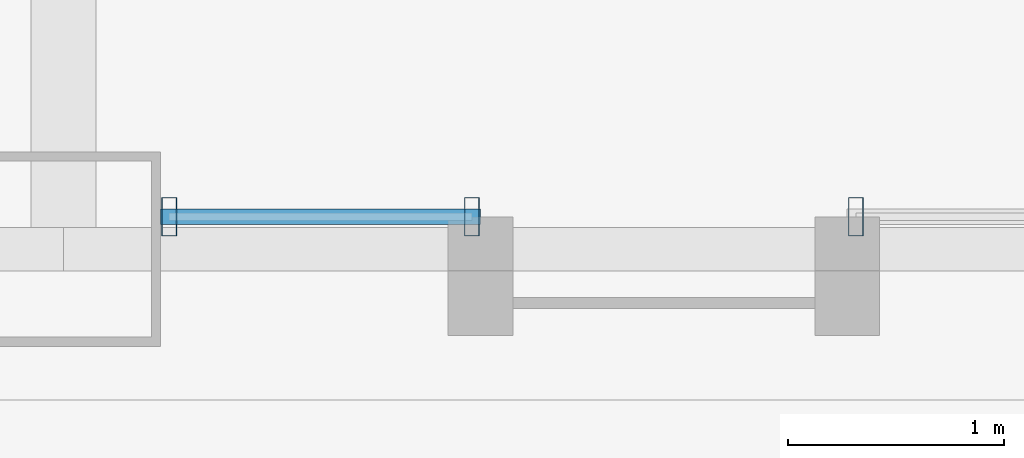
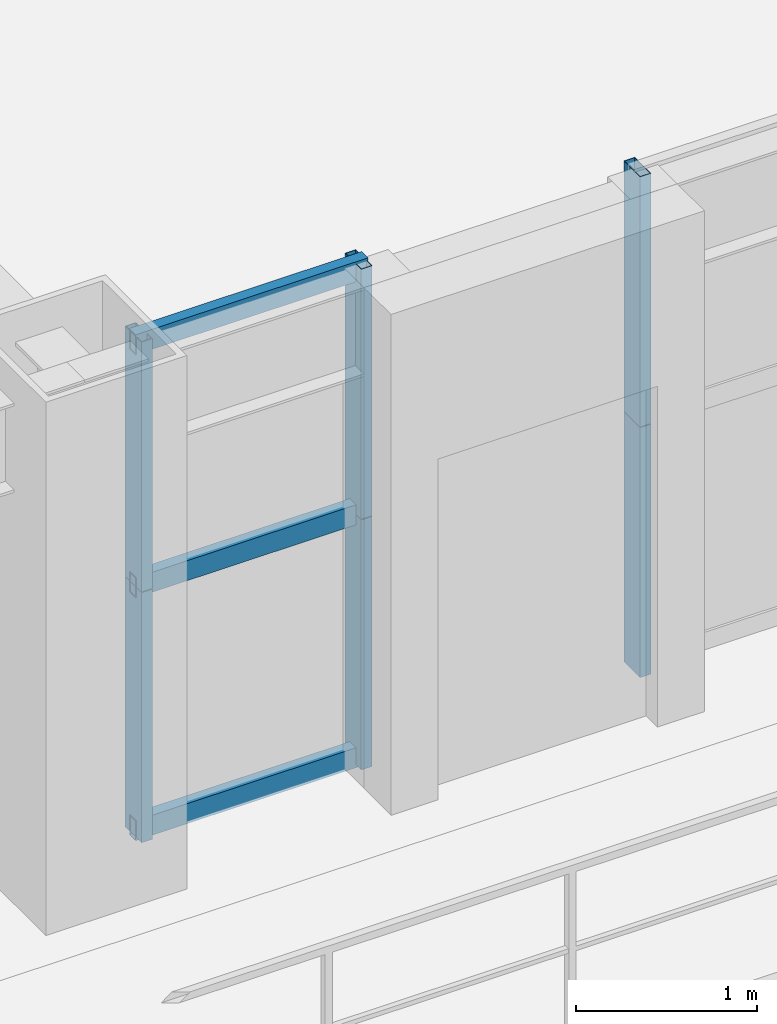
# One storey, part 11 of 42: 9 members, 2 elements without a shape of their own.
"""IFC4 building model written with IfcOpenShell, lengths in metres."""

from ifc_helpers import new_model, si_unit, direction, frame, origin, origin_2d, place, context, subcontext, project, spatial, hollow_rectangle, extrude, source, transform, mapped, material, layer, layer_set, material_profile, profile_set, type_object, element, aggregate, save


model = new_model("IFC4")

# Units and contexts
model_context = context("Model", 3, precision=1e-05, world=origin(), true_north=direction((0.0, 1.0)))
body_context = subcontext(model_context, "Body", "Model", "MODEL_VIEW")
ifc_project = project(units=[si_unit("LENGTHUNIT", "METRE"), si_unit("AREAUNIT", "SQUARE_METRE"), si_unit("VOLUMEUNIT", "CUBIC_METRE"), si_unit("PLANEANGLEUNIT", "RADIAN"), si_unit("MASSUNIT", "GRAM", prefix="KILO"), si_unit("THERMODYNAMICTEMPERATUREUNIT", "KELVIN"), si_unit("POWERUNIT", "WATT")], contexts=[model_context])

# Site, building, storey
site_placement = place(None, origin())
site = spatial("IfcSite", under=ifc_project, at=site_placement, CompositionType="ELEMENT")
building_placement = place(site_placement, origin())
building = spatial("IfcBuilding", under=site, at=building_placement, Name="Yuzanri Waterfront Tower", CompositionType="ELEMENT")
storey_placement = place(building_placement, frame((0.0, 0.0, 145.199951171875)))
storey = spatial("IfcBuildingStorey", under=building, at=storey_placement, Name="L38", CompositionType="ELEMENT", Elevation=145.199951171875)

# Curtain wall, members
ifc_material_1 = material(Name="Anodized Architectural Bronze", Category="metal")
ifc_layer = layer(ifc_material_1, 0.159912109375)
ifc_layer_set = layer_set([ifc_layer], Name="Anodized Architectural Bronze")
curtain_wall_type = type_object("IfcCurtainWallType", Name="Anodized Bronze Hotel Upper-Tier Solar-Control Unitized Curtain Wall 7800", PredefinedType="NOTDEFINED", material=ifc_layer_set)
curtain_wall_1_placement = place(storey_placement, origin())
curtain_wall_1 = element("IfcCurtainWall", 1, at=curtain_wall_1_placement, inside=storey, type_object=curtain_wall_type, Name="L38 Curtain Wall CW-L38-SR1", PredefinedType="NOTDEFINED")
ifc_material_2 = material(Name="Anodized Architectural Bronze", Category="metal")
ifc_material_profile_1 = material_profile(ifc_material_2, hollow_rectangle(XDim=0.070068359375, YDim=0.179931640625, WallThickness=0.00390625, at=origin_2d()), Name="CWM 70x180")
ifc_profile_set_1 = profile_set([ifc_material_profile_1], Name="Anodized Architectural Bronze")
member_type_1 = type_object("IfcMemberType", Name="Anodized Bronze Standard Curtain-Wall Mullion 70x180", PredefinedType="MULLION", material=ifc_profile_set_1)
shared_shape_1 = source(origin(), body_context, "Body", "SweptSolid", [
    extrude(hollow_rectangle(XDim=0.070068359375, YDim=0.179931640625, WallThickness=0.00390625, at=origin_2d()), origin(), (0.0, 0.0, 1.0), 1.68798828125),
])
member_1_placement = place(storey_placement, frame((37.489990234375, 2.35009765625, 0.0), z_axis=(0.0, 0.0, 1.0), x_axis=(1.0, 0.0, 0.0)))
member_1 = element("IfcMember", 2, at=member_1_placement, type_object=member_type_1, Name="CW-L38-SR1 Lower Mullion 00", PredefinedType="MULLION", context=body_context, shape_type="MappedRepresentation", body=[
    mapped(shared_shape_1, transform((0.0, 0.0, 0.0), scale=1.0)),
])
member_2_placement = place(storey_placement, frame((37.489990234375, 2.35009765625, 1.692138671875), z_axis=(0.0, 0.0, 1.0), x_axis=(1.0, 0.0, 0.0)))
member_2 = element("IfcMember", 3, at=member_2_placement, type_object=member_type_1, Name="CW-L38-SR1 Upper Mullion 00", PredefinedType="MULLION", context=body_context, shape_type="MappedRepresentation", body=[
    mapped(shared_shape_1, transform((0.0, 0.0, 0.0), scale=1.0)),
])
member_3_placement = place(storey_placement, frame((38.89306640625, 2.35009765625, 0.0), z_axis=(0.0, 0.0, 1.0), x_axis=(1.0, 0.0, 0.0)))
member_3 = element("IfcMember", 4, at=member_3_placement, type_object=member_type_1, Name="CW-L38-SR1 Lower Mullion 01", PredefinedType="MULLION", context=body_context, shape_type="MappedRepresentation", body=[
    mapped(shared_shape_1, transform((0.0, 0.0, 0.0), scale=1.0)),
])
member_4_placement = place(storey_placement, frame((38.89306640625, 2.35009765625, 1.692138671875), z_axis=(0.0, 0.0, 1.0), x_axis=(1.0, 0.0, 0.0)))
member_4 = element("IfcMember", 5, at=member_4_placement, type_object=member_type_1, Name="CW-L38-SR1 Upper Mullion 01", PredefinedType="MULLION", context=body_context, shape_type="MappedRepresentation", body=[
    mapped(shared_shape_1, transform((0.0, 0.0, 0.0), scale=1.0)),
])

curtain_wall_2_placement = place(storey_placement, origin())
curtain_wall_2 = element("IfcCurtainWall", 6, at=curtain_wall_2_placement, inside=storey, type_object=curtain_wall_type, Name="L38 Curtain Wall CW-L38-SR2", PredefinedType="NOTDEFINED")
member_5_placement = place(storey_placement, frame((40.673095703125, 2.35009765625, 0.0), z_axis=(0.0, 0.0, 1.0), x_axis=(1.0, 0.0, 0.0)))
member_5 = element("IfcMember", 7, at=member_5_placement, type_object=member_type_1, Name="CW-L38-SR2 Lower Mullion 00", PredefinedType="MULLION", context=body_context, shape_type="MappedRepresentation", body=[
    mapped(shared_shape_1, transform((0.0, 0.0, 0.0), scale=1.0)),
])
member_6_placement = place(storey_placement, frame((40.673095703125, 2.35009765625, 1.692138671875), z_axis=(0.0, 0.0, 1.0), x_axis=(1.0, 0.0, 0.0)))
member_6 = element("IfcMember", 8, at=member_6_placement, type_object=member_type_1, Name="CW-L38-SR2 Upper Mullion 00", PredefinedType="MULLION", context=body_context, shape_type="MappedRepresentation", body=[
    mapped(shared_shape_1, transform((0.0, 0.0, 0.0), scale=1.0)),
])
aggregate(curtain_wall_2, [member_5, member_6])

# Member
ifc_material_3 = material(Name="Anodized Architectural Bronze", Category="metal")
ifc_material_profile_2 = material_profile(ifc_material_3, hollow_rectangle(XDim=0.070068359375, YDim=0.135009765625, WallThickness=0.00341796875, at=origin_2d()), Name="CWT 70x135")
ifc_profile_set_2 = profile_set([ifc_material_profile_2], Name="Anodized Architectural Bronze")
member_type_2 = type_object("IfcMemberType", Name="Anodized Bronze Standard Curtain-Wall Transom 70x135", PredefinedType="USERDEFINED", material=ifc_profile_set_2)
shared_shape_2 = source(origin(), body_context, "Body", "SweptSolid", [
    extrude(hollow_rectangle(XDim=0.070068359375, YDim=0.135009765625, WallThickness=0.00341796875, at=origin_2d()), origin(), (0.0, 0.0, 1.0), 1.483154296875),
])
member_7_placement = place(storey_placement, frame((37.449951171875, 2.35009765625, 0.050048828125), z_axis=(1.0, 0.0, 0.0), x_axis=(0.0, 1.0, 0.0)))
member_7 = element("IfcMember", 9, at=member_7_placement, type_object=member_type_2, Name="CW-L38-SR1 Transom 1", ObjectType="TRANSOM", PredefinedType="USERDEFINED", context=body_context, shape_type="MappedRepresentation", body=[
    mapped(shared_shape_2, transform((0.0, 0.0, 0.0), scale=1.0)),
])

member_8_placement = place(storey_placement, frame((37.449951171875, 2.35009765625, 1.68994140625), z_axis=(1.0, 0.0, 0.0), x_axis=(0.0, 1.0, 0.0)))
member_8 = element("IfcMember", 10, at=member_8_placement, type_object=member_type_2, Name="CW-L38-SR1 Transom 2", ObjectType="TRANSOM", PredefinedType="USERDEFINED", context=body_context, shape_type="MappedRepresentation", body=[
    mapped(shared_shape_2, transform((0.0, 0.0, 0.0), scale=1.0)),
])

member_9_placement = place(storey_placement, frame((37.449951171875, 2.35009765625, 3.330078125), z_axis=(1.0, 0.0, 0.0), x_axis=(0.0, 1.0, 0.0)))
member_9 = element("IfcMember", 11, at=member_9_placement, type_object=member_type_2, Name="CW-L38-SR1 Transom 3", ObjectType="TRANSOM", PredefinedType="USERDEFINED", context=body_context, shape_type="MappedRepresentation", body=[
    mapped(shared_shape_2, transform((0.0, 0.0, 0.0), scale=1.0)),
])

aggregate(curtain_wall_1, [member_1, member_2, member_3, member_4, member_7, member_8, member_9])

save(model, "model.ifc")
